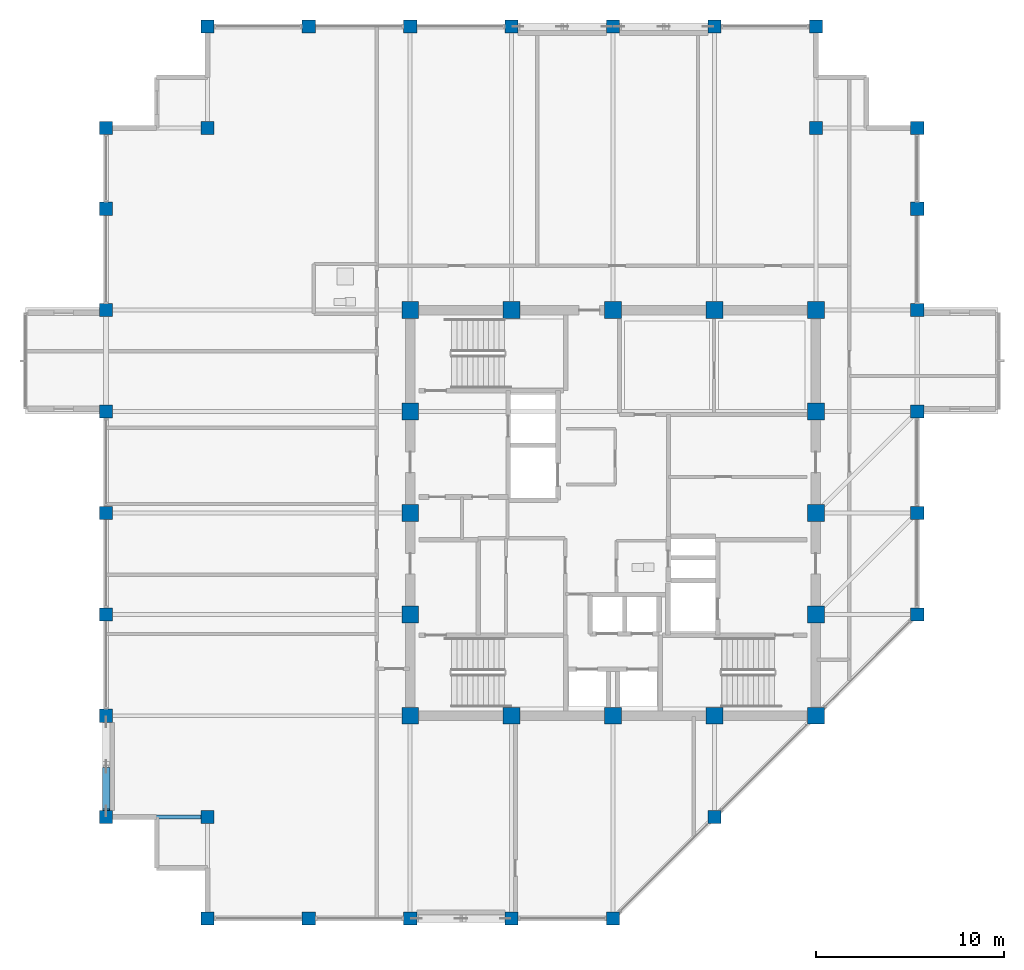
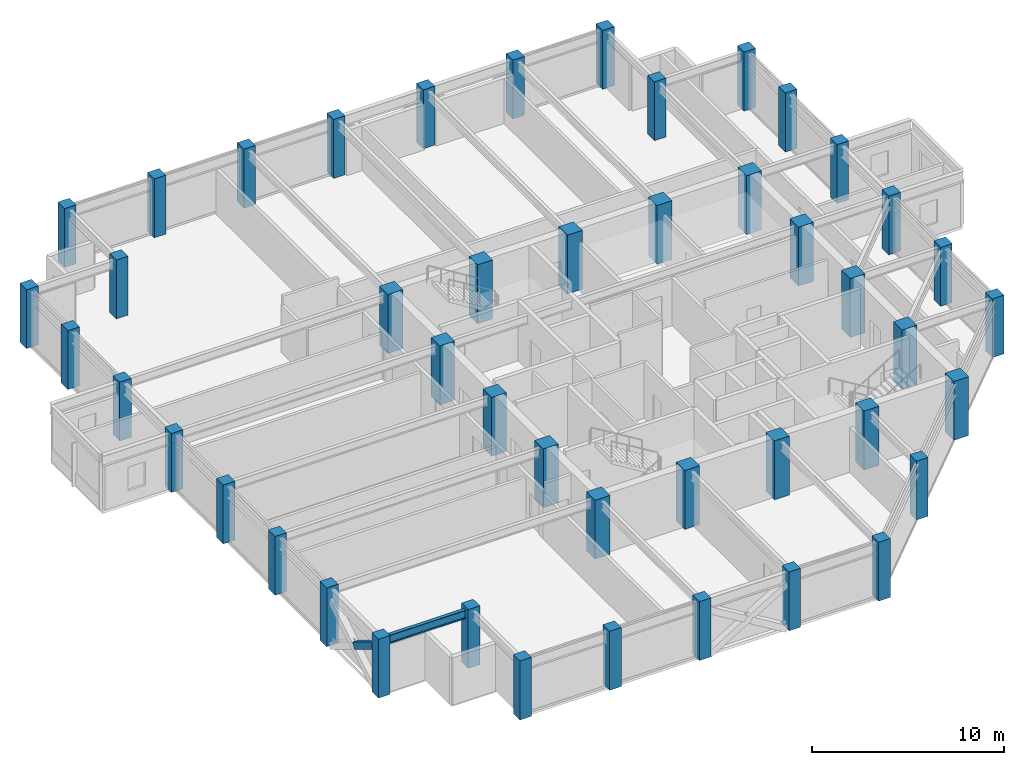
# One storey, part 1 of 31: 46 columns, 1 beam, 1 member.
"""IFC4 building model written with IfcOpenShell, lengths in metres."""

from ifc_helpers import new_model, si_unit, direction, frame, origin, origin_2d, place, context, subcontext, project, spatial, rectangle, hollow_rectangle, i_section, extrude, material, material_profile, profile_set, type_object, element, save


model = new_model("IFC4")

# Units and contexts
model_context = context("Model", 3, precision=1e-05, world=origin(), true_north=direction((0.0, 1.0)))
body_context = subcontext(model_context, "Body", "Model", "MODEL_VIEW")
ifc_project = project(units=[si_unit("LENGTHUNIT", "METRE"), si_unit("AREAUNIT", "SQUARE_METRE"), si_unit("VOLUMEUNIT", "CUBIC_METRE"), si_unit("PLANEANGLEUNIT", "RADIAN"), si_unit("MASSUNIT", "GRAM", prefix="KILO")], contexts=[model_context])

# Site, building, storey
site_placement = place(None, origin())
site = spatial("IfcSite", under=ifc_project, at=site_placement, CompositionType="ELEMENT")
building_placement = place(site_placement, origin())
building = spatial("IfcBuilding", under=site, at=building_placement, Name="Surkhivell Harbour Commons", CompositionType="ELEMENT")
storey_placement = place(building_placement, frame((0.0, 0.0, 266.25)))
storey = spatial("IfcBuildingStorey", under=building, at=storey_placement, Name="L69", CompositionType="ELEMENT", Elevation=266.25)

# Columns
ifc_material_1 = material(Name="Concrete C60/75", Category="concrete")
ifc_material_profile_1 = material_profile(ifc_material_1, rectangle(XDim=0.89990234375, YDim=0.89990234375, at=origin_2d()), Name="RC-COL-900x900")
ifc_profile_set_1 = profile_set([ifc_material_profile_1], Name="Concrete C60/75")
column_type_1 = type_object("IfcColumnType", Name="COL-TUBE-Z3A", PredefinedType="COLUMN", material=ifc_profile_set_1)
for number, where, z_axis, x_axis, name in (
    (1, (-10.800048828125, -10.800048828125, 0.0), (0.0, 0.0, 1.0), (1.0, 0.0, 0.0), "L69 Column CT-3A (-10.8,-10.8)"),
    (2, (-10.800048828125, -5.39990234375, 0.0), (0.0, 0.0, 1.0), (1.0, 0.0, 0.0), "L69 Column CT-3A (-10.8,-5.4)"),
    (3, (-10.800048828125, 0.0, 0.0), (0.0, 0.0, 1.0), (1.0, 0.0, 0.0), "L69 Column CT-3A (-10.8,0.0)"),
    (4, (-10.800048828125, 5.39990234375, 0.0), (0.0, 0.0, 1.0), (1.0, 0.0, 0.0), "L69 Column CT-3A (-10.8,5.4)"),
    (5, (-10.800048828125, 10.800048828125, 0.0), (0.0, 0.0, 1.0), (1.0, 0.0, 0.0), "L69 Column CT-3A (-10.8,10.8)"),
    (6, (-5.39990234375, -10.800048828125, 0.0), (0.0, 0.0, 1.0), (1.0, 0.0, 0.0), "L69 Column CT-3A (-5.4,-10.8)"),
    (7, (-5.39990234375, 10.800048828125, 0.0), (0.0, 0.0, 1.0), (1.0, 0.0, 0.0), "L69 Column CT-3A (-5.4,10.8)"),
    (8, (0.0, -10.800048828125, 0.0), (0.0, 0.0, 1.0), (1.0, 0.0, 0.0), "L69 Column CT-3A (0.0,-10.8)"),
    (9, (0.0, 10.800048828125, 0.0), (0.0, 0.0, 1.0), (1.0, 0.0, 0.0), "L69 Column CT-3A (0.0,10.8)"),
    (10, (5.39990234375, -10.800048828125, 0.0), (0.0, 0.0, 1.0), (1.0, 0.0, 0.0), "L69 Column CT-3A (5.4,-10.8)"),
    (11, (5.39990234375, 10.800048828125, 0.0), (0.0, 0.0, 1.0), (1.0, 0.0, 0.0), "L69 Column CT-3A (5.4,10.8)"),
    (12, (10.800048828125, -10.800048828125, 0.0), (0.0, 0.0, 1.0), (1.0, 0.0, 0.0), "L69 Column CT-3A (10.8,-10.8)"),
    (13, (10.800048828125, -5.39990234375, 0.0), (0.0, 0.0, 1.0), (1.0, 0.0, 0.0), "L69 Column CT-3A (10.8,-5.4)"),
    (14, (10.800048828125, 0.0, 0.0), (0.0, 0.0, 1.0), (1.0, 0.0, 0.0), "L69 Column CT-3A (10.8,0.0)"),
    (15, (10.800048828125, 5.39990234375, 0.0), (0.0, 0.0, 1.0), (1.0, 0.0, 0.0), "L69 Column CT-3A (10.8,5.4)"),
    (16, (10.800048828125, 10.800048828125, 0.0), (0.0, 0.0, 1.0), (1.0, 0.0, 0.0), "L69 Column CT-3A (10.8,10.8)"),
):
    element("IfcColumn", number, at=place(storey_placement, frame(where, z_axis=z_axis, x_axis=x_axis)), inside=storey, type_object=column_type_1, Name=name, PredefinedType="COLUMN", context=body_context, shape_type="SweptSolid", body=[
        extrude(rectangle(XDim=0.89990234375, YDim=0.89990234375, at=origin_2d()), origin(), (0.0, 0.0, 1.0), 3.75),
    ])
ifc_material_2 = material(Name="Concrete C50/60", Category="concrete")
ifc_material_profile_2 = material_profile(ifc_material_2, rectangle(XDim=0.699951171875, YDim=0.699951171875, at=origin_2d()), Name="RC-COL-700x700")
ifc_profile_set_2 = profile_set([ifc_material_profile_2], Name="Concrete C50/60")
column_type_2 = type_object("IfcColumnType", Name="COL-TUBE-Z4", PredefinedType="COLUMN", material=ifc_profile_set_2)
for number, where, z_axis, x_axis, name in (
    (17, (-27.0, -16.199951171875, 0.0), (0.0, 0.0, 1.0), (1.0, 0.0, 0.0), "L69 Column CT-4 (-27.0,-16.2)"),
    (18, (-27.0, -10.800048828125, 0.0), (0.0, 0.0, 1.0), (1.0, 0.0, 0.0), "L69 Column CT-4 (-27.0,-10.8)"),
    (19, (-27.0, -5.39990234375, 0.0), (0.0, 0.0, 1.0), (1.0, 0.0, 0.0), "L69 Column CT-4 (-27.0,-5.4)"),
    (20, (-27.0, 0.0, 0.0), (0.0, 0.0, 1.0), (1.0, 0.0, 0.0), "L69 Column CT-4 (-27.0,0.0)"),
    (21, (-27.0, 5.39990234375, 0.0), (0.0, 0.0, 1.0), (1.0, 0.0, 0.0), "L69 Column CT-4 (-27.0,5.4)"),
    (22, (-27.0, 10.800048828125, 0.0), (0.0, 0.0, 1.0), (1.0, 0.0, 0.0), "L69 Column CT-4 (-27.0,10.8)"),
    (23, (-27.0, 16.199951171875, 0.0), (0.0, 0.0, 1.0), (1.0, 0.0, 0.0), "L69 Column CT-4 (-27.0,16.2)"),
    (24, (-27.0, 20.5, 0.0), (0.0, 0.0, 1.0), (1.0, 0.0, 0.0), "L69 Column CT-4 (-27.0,20.5)"),
    (25, (-21.60009765625, -21.60009765625, 0.0), (0.0, 0.0, 1.0), (1.0, 0.0, 0.0), "L69 Column CT-4 (-21.6,-21.6)"),
    (26, (-21.60009765625, -16.199951171875, 0.0), (0.0, 0.0, 1.0), (1.0, 0.0, 0.0), "L69 Column CT-4 (-21.6,-16.2)"),
    (27, (-21.60009765625, 20.5, 0.0), (0.0, 0.0, 1.0), (1.0, 0.0, 0.0), "L69 Column CT-4 (-21.6,20.5)"),
    (28, (-21.60009765625, 25.89990234375, 0.0), (0.0, 0.0, 1.0), (1.0, 0.0, 0.0), "L69 Column CT-4 (-21.6,25.9)"),
    (29, (-16.199951171875, -21.60009765625, 0.0), (0.0, 0.0, 1.0), (1.0, 0.0, 0.0), "L69 Column CT-4 (-16.2,-21.6)"),
    (30, (-16.199951171875, 25.89990234375, 0.0), (0.0, 0.0, 1.0), (1.0, 0.0, 0.0), "L69 Column CT-4 (-16.2,25.9)"),
    (31, (-10.800048828125, -21.60009765625, 0.0), (0.0, 0.0, 1.0), (1.0, 0.0, 0.0), "L69 Column CT-4 (-10.8,-21.6)"),
    (32, (-10.800048828125, 25.89990234375, 0.0), (0.0, 0.0, 1.0), (1.0, 0.0, 0.0), "L69 Column CT-4 (-10.8,25.9)"),
    (33, (-5.39990234375, -21.60009765625, 0.0), (0.0, 0.0, 1.0), (1.0, 0.0, 0.0), "L69 Column CT-4 (-5.4,-21.6)"),
    (34, (-5.39990234375, 25.89990234375, 0.0), (0.0, 0.0, 1.0), (1.0, 0.0, 0.0), "L69 Column CT-4 (-5.4,25.9)"),
    (35, (0.0, -21.60009765625, 0.0), (0.0, 0.0, 1.0), (1.0, 0.0, 0.0), "L69 Column CT-4 (-0.0,-21.6)"),
    (36, (0.0, 25.89990234375, 0.0), (0.0, 0.0, 1.0), (1.0, 0.0, 0.0), "L69 Column CT-4 (-0.0,25.9)"),
    (37, (5.39990234375, -16.199951171875, 0.0), (0.0, 0.0, 1.0), (1.0, 0.0, 0.0), "L69 Column CT-4 (5.4,-16.2)"),
    (38, (5.39990234375, 25.89990234375, 0.0), (0.0, 0.0, 1.0), (1.0, 0.0, 0.0), "L69 Column CT-4 (5.4,25.9)"),
    (39, (10.800048828125, 20.5, 0.0), (0.0, 0.0, 1.0), (1.0, 0.0, 0.0), "L69 Column CT-4 (10.8,20.5)"),
    (40, (10.800048828125, 25.89990234375, 0.0), (0.0, 0.0, 1.0), (1.0, 0.0, 0.0), "L69 Column CT-4 (10.8,25.9)"),
    (41, (16.199951171875, -5.39990234375, 0.0), (0.0, 0.0, 1.0), (1.0, 0.0, 0.0), "L69 Column CT-4 (16.2,-5.4)"),
    (42, (16.199951171875, 0.0, 0.0), (0.0, 0.0, 1.0), (1.0, 0.0, 0.0), "L69 Column CT-4 (16.2,0.0)"),
    (43, (16.199951171875, 5.39990234375, 0.0), (0.0, 0.0, 1.0), (1.0, 0.0, 0.0), "L69 Column CT-4 (16.2,5.4)"),
    (44, (16.199951171875, 10.800048828125, 0.0), (0.0, 0.0, 1.0), (1.0, 0.0, 0.0), "L69 Column CT-4 (16.2,10.8)"),
    (45, (16.199951171875, 16.199951171875, 0.0), (0.0, 0.0, 1.0), (1.0, 0.0, 0.0), "L69 Column CT-4 (16.2,16.2)"),
    (46, (16.199951171875, 20.5, 0.0), (0.0, 0.0, 1.0), (1.0, 0.0, 0.0), "L69 Column CT-4 (16.2,20.5)"),
):
    element("IfcColumn", number, at=place(storey_placement, frame(where, z_axis=z_axis, x_axis=x_axis)), inside=storey, type_object=column_type_2, Name=name, PredefinedType="COLUMN", context=body_context, shape_type="SweptSolid", body=[
        extrude(rectangle(XDim=0.699951171875, YDim=0.699951171875, at=origin_2d()), origin(), (0.0, 0.0, 1.0), 3.75),
    ])

# Beam
ifc_material_3 = material(Name="Steel S355", Category="steel")
ifc_material_profile_3 = material_profile(ifc_material_3, i_section(OverallWidth=0.2099609375, OverallDepth=0.537109375, WebThickness=0.0107421875, FlangeThickness=0.017333984375, at=origin_2d()), Name="UB533x210x101")
ifc_profile_set_3 = profile_set([ifc_material_profile_3], Name="Steel S355")
beam_type = type_object("IfcBeamType", Name="BM-GRD-533B", PredefinedType="BEAM", material=ifc_profile_set_3)
beam_placement = place(storey_placement, frame((-27.0, -16.199951171875, 3.301513671875), z_axis=(1.0, 0.0, 0.0), x_axis=(0.0, 1.0, 0.0)))
element("IfcBeam", 47, at=beam_placement, inside=storey, type_object=beam_type, Name="L69 Floor Girder (-27.0,-16.2)", PredefinedType="BEAM", context=body_context, shape_type="SweptSolid", body=[
    extrude(i_section(OverallWidth=0.2099609375, OverallDepth=0.537109375, WebThickness=0.0107421875, FlangeThickness=0.017333984375, at=origin_2d()), origin(), (0.0, 0.0, 1.0), 5.39990234375),
])

# Member
ifc_material_4 = material(Name="Steel S460", Category="steel")
ifc_material_profile_4 = material_profile(ifc_material_4, hollow_rectangle(XDim=0.39990234375, YDim=0.39990234375, WallThickness=0.02001953125, at=origin_2d()), Name="SHS400x400x20")
ifc_profile_set_4 = profile_set([ifc_material_profile_4], Name="Steel S460")
member_type = type_object("IfcMemberType", Name="MEM-BRC-SHS400", PredefinedType="BRACE", material=ifc_profile_set_4)
member_placement = place(storey_placement, frame((-27.0, -13.6640625, 1.544189453125), z_axis=(0.0, -0.854677846108, 0.519158722716), x_axis=(1.0, 0.0, 0.0)))
element("IfcMember", 48, at=member_placement, inside=storey, type_object=member_type, Name="L69 Perimeter Mega-Brace MB- 12", PredefinedType="BRACE", context=body_context, shape_type="SweptSolid", body=[
    extrude(hollow_rectangle(XDim=0.39990234375, YDim=0.39990234375, WallThickness=0.02001953125, at=origin_2d()), origin(), (0.0, 0.0, 1.0), 2.5751953125),
])

save(model, "model.ifc")
